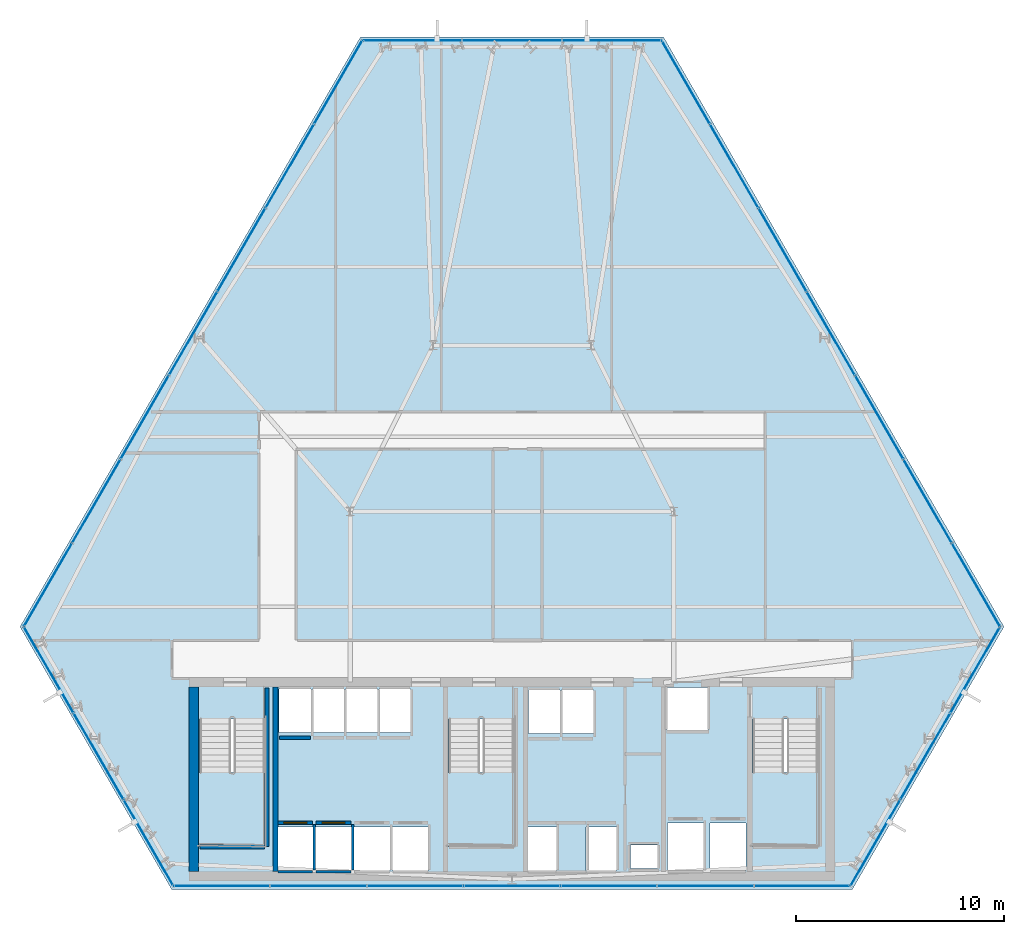
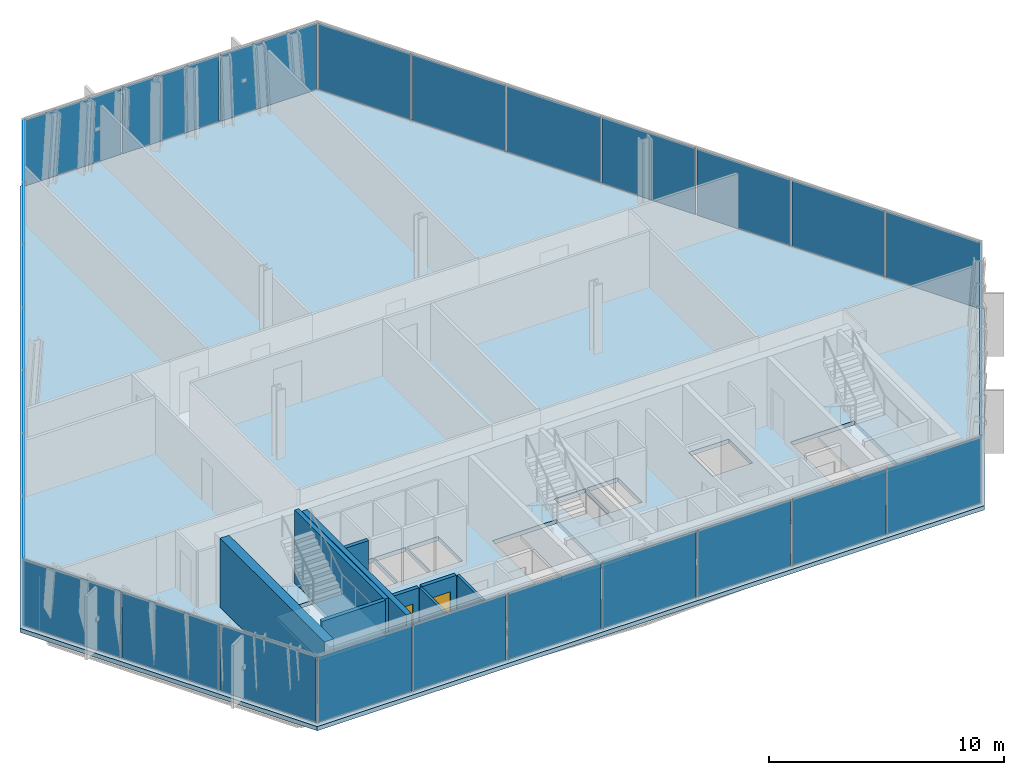
# One storey, part 26 of 33: 30 plates, 11 walls, 4 slabs, 2 doors, 2 openings, 9 elements without a shape of their own.
"""IFC4 building model written with IfcOpenShell, lengths in metres."""

from ifc_helpers import new_model, si_unit, direction, frame, frame_2d, origin, origin_2d, place, context, subcontext, project, spatial, polyline, rectangle, outline, extrude, material, layer, layer_set, type_object, element, fill, aggregate, save


model = new_model("IFC4")

# Units and contexts
model_context = context("Model", 3, precision=1e-05, world=origin(), true_north=direction((0.0, 1.0)))
body_context = subcontext(model_context, "Body", "Model", "MODEL_VIEW")
ifc_project = project(units=[si_unit("LENGTHUNIT", "METRE"), si_unit("AREAUNIT", "SQUARE_METRE"), si_unit("VOLUMEUNIT", "CUBIC_METRE"), si_unit("PLANEANGLEUNIT", "RADIAN"), si_unit("MASSUNIT", "GRAM", prefix="KILO")], contexts=[model_context])

# Site, building, storey
site_placement = place(None, origin())
site = spatial("IfcSite", under=ifc_project, at=site_placement, CompositionType="ELEMENT")
building_placement = place(site_placement, origin())
building = spatial("IfcBuilding", under=site, at=building_placement, Name="Ndaravel Arena Tower", CompositionType="ELEMENT")
storey_placement = place(building_placement, frame((0.0, 0.0, 89.199951171875)))
storey = spatial("IfcBuildingStorey", under=building, at=storey_placement, Name="L20", CompositionType="ELEMENT", Elevation=89.199951171875)

# Curtain wall, plate
ifc_material_1 = material(Name="Aluminium", Category="aluminium")
ifc_layer_1 = layer(ifc_material_1, 0.179931640625)
ifc_layer_set_1 = layer_set([ifc_layer_1], Name="Aluminium")
curtain_wall_type_1 = type_object("IfcCurtainWallType", Name="CW-SYS-01", PredefinedType="NOTDEFINED", material=ifc_layer_set_1)
curtain_wall_1_placement = place(storey_placement, origin())
curtain_wall_1 = element("IfcCurtainWall", 1, at=curtain_wall_1_placement, inside=storey, type_object=curtain_wall_type_1, Name="L20 Faceted Crystal Curtain Wall CW-L20-E02", PredefinedType="NOTDEFINED")
ifc_material_2 = material(Name="Glazing", Category="glass")
ifc_layer_2 = layer(ifc_material_2, 0.035888671875)
ifc_layer_set_2 = layer_set([ifc_layer_2], Name="Glazing")
plate_type_1 = type_object("IfcPlateType", Name="PLT-CW-OPVENT", PredefinedType="CURTAIN_PANEL", material=ifc_layer_set_2)
plate_1_placement = place(storey_placement, frame((61.913818359375, 11.404052734375, 0.06005859375), z_axis=(0.0, 0.0, 1.0), x_axis=(0.5, 0.866025403784, 0.0)))
plate_1 = element("IfcPlate", 2, at=plate_1_placement, type_object=plate_type_1, Name="CW-L20-E02 Operable Vent Sash Panel 02", PredefinedType="CURTAIN_PANEL", context=body_context, shape_type="SweptSolid", body=[
    extrude(rectangle(XDim=4.7265625, YDim=0.035888671875, at=origin_2d()), origin(), (0.0, 0.0, 1.0), 3.4599609375),
])

curtain_wall_2_placement = place(storey_placement, origin())
curtain_wall_2 = element("IfcCurtainWall", 3, at=curtain_wall_2_placement, inside=storey, type_object=curtain_wall_type_1, Name="L20 Faceted Crystal Curtain Wall CW-L20-E04", PredefinedType="NOTDEFINED")
plate_2_placement = place(storey_placement, frame((42.0, 45.89599609375, 0.06005859375), z_axis=(0.0, 0.0, 1.0), x_axis=(-1.0, 0.0, 0.0)))
plate_2 = element("IfcPlate", 4, at=plate_2_placement, type_object=plate_type_1, Name="CW-L20-E04 Operable Vent Sash Panel 02", PredefinedType="CURTAIN_PANEL", context=body_context, shape_type="SweptSolid", body=[
    extrude(rectangle(XDim=4.7265625, YDim=0.035888671875, at=origin_2d()), origin(), (0.0, 0.0, 1.0), 3.4599609375),
])

ifc_material_3 = material(Name="Aluminium", Category="aluminium")
ifc_layer_3 = layer(ifc_material_3, 0.179931640625)
ifc_layer_set_3 = layer_set([ifc_layer_3], Name="Aluminium")
curtain_wall_type_2 = type_object("IfcCurtainWallType", Name="CW-SYS-02", PredefinedType="NOTDEFINED", material=ifc_layer_set_3)
curtain_wall_3_placement = place(storey_placement, origin())
curtain_wall_3 = element("IfcCurtainWall", 5, at=curtain_wall_3_placement, inside=storey, type_object=curtain_wall_type_2, Name="L20 Faceted Crystal Curtain Wall CW-L20-E06", PredefinedType="NOTDEFINED")
plate_3_placement = place(storey_placement, frame((22.086181640625, 11.40380859375, 0.06005859375), z_axis=(0.0, 0.0, 1.0), x_axis=(0.5, -0.866025403784, 0.0)))
plate_3 = element("IfcPlate", 6, at=plate_3_placement, type_object=plate_type_1, Name="CW-L20-E06 Operable Vent Sash Panel 02", PredefinedType="CURTAIN_PANEL", context=body_context, shape_type="SweptSolid", body=[
    extrude(rectangle(XDim=4.7265625, YDim=0.035888671875, at=origin_2d()), origin(), (0.0, 0.0, 1.0), 3.4599609375),
])

# Plate
ifc_material_4 = material(Name="Glazing", Category="glass")
ifc_layer_4 = layer(ifc_material_4, 0.031982421875)
ifc_layer_set_4 = layer_set([ifc_layer_4], Name="Glazing")
plate_type_2 = type_object("IfcPlateType", Name="PLT-GLZ-FRIT35", PredefinedType="CURTAIN_PANEL", material=ifc_layer_set_4)
plate_4_placement = place(storey_placement, frame((59.510498046875, 7.2412109375, 0.06005859375), z_axis=(0.0, 0.0, 1.0), x_axis=(0.5, 0.866025403784, 0.0)))
plate_4 = element("IfcPlate", 7, at=plate_4_placement, type_object=plate_type_2, Name="CW-L20-E02 Vision Glass Panel 01", PredefinedType="CURTAIN_PANEL", context=body_context, shape_type="SweptSolid", body=[
    extrude(rectangle(XDim=4.7265625, YDim=0.035888671875, at=origin_2d()), origin(), (0.0, 0.0, 1.0), 3.4599609375),
])

plate_5_placement = place(storey_placement, frame((64.317138671875, 15.566650390625, 0.06005859375), z_axis=(0.0, 0.0, 1.0), x_axis=(0.5, 0.866025403784, 0.0)))
plate_5 = element("IfcPlate", 8, at=plate_5_placement, type_object=plate_type_2, Name="CW-L20-E02 Vision Glass Panel 03", PredefinedType="CURTAIN_PANEL", context=body_context, shape_type="SweptSolid", body=[
    extrude(rectangle(XDim=4.7265625, YDim=0.035888671875, at=origin_2d()), origin(), (0.0, 0.0, 1.0), 3.4599609375),
])

aggregate(curtain_wall_1, [plate_4, plate_1, plate_5])

plate_6_placement = place(storey_placement, frame((46.806640625, 45.89599609375, 0.06005859375), z_axis=(0.0, 0.0, 1.0), x_axis=(-1.0, 0.0, 0.0)))
plate_6 = element("IfcPlate", 9, at=plate_6_placement, type_object=plate_type_2, Name="CW-L20-E04 Vision Glass Panel 01", PredefinedType="CURTAIN_PANEL", context=body_context, shape_type="SweptSolid", body=[
    extrude(rectangle(XDim=4.7265625, YDim=0.035888671875, at=origin_2d()), origin(), (0.0, 0.0, 1.0), 3.4599609375),
])

plate_7_placement = place(storey_placement, frame((37.193359375, 45.89599609375, 0.06005859375), z_axis=(0.0, 0.0, 1.0), x_axis=(-1.0, 0.0, 0.0)))
plate_7 = element("IfcPlate", 10, at=plate_7_placement, type_object=plate_type_2, Name="CW-L20-E04 Vision Glass Panel 03", PredefinedType="CURTAIN_PANEL", context=body_context, shape_type="SweptSolid", body=[
    extrude(rectangle(XDim=4.7265625, YDim=0.035888671875, at=origin_2d()), origin(), (0.0, 0.0, 1.0), 3.4599609375),
])

aggregate(curtain_wall_2, [plate_6, plate_2, plate_7])

ifc_material_5 = material(Name="Glazing", Category="glass")
ifc_layer_5 = layer(ifc_material_5, 0.035888671875)
ifc_layer_set_5 = layer_set([ifc_layer_5], Name="Glazing")
plate_type_3 = type_object("IfcPlateType", Name="PLT-GLZ-FRIT55", PredefinedType="CURTAIN_PANEL", material=ifc_layer_set_5)
plate_8_placement = place(storey_placement, frame((19.682861328125, 15.566650390625, 0.06005859375), z_axis=(0.0, 0.0, 1.0), x_axis=(0.5, -0.866025403784, 0.0)))
plate_8 = element("IfcPlate", 11, at=plate_8_placement, type_object=plate_type_3, Name="CW-L20-E06 Vision Glass Panel 01", PredefinedType="CURTAIN_PANEL", context=body_context, shape_type="SweptSolid", body=[
    extrude(rectangle(XDim=4.7265625, YDim=0.035888671875, at=origin_2d()), origin(), (0.0, 0.0, 1.0), 3.4599609375),
])

plate_9_placement = place(storey_placement, frame((24.489501953125, 7.2412109375, 0.06005859375), z_axis=(0.0, 0.0, 1.0), x_axis=(0.5, -0.866025403784, 0.0)))
plate_9 = element("IfcPlate", 12, at=plate_9_placement, type_object=plate_type_3, Name="CW-L20-E06 Vision Glass Panel 03", PredefinedType="CURTAIN_PANEL", context=body_context, shape_type="SweptSolid", body=[
    extrude(rectangle(XDim=4.7265625, YDim=0.035888671875, at=origin_2d()), origin(), (0.0, 0.0, 1.0), 3.4599609375),
])

aggregate(curtain_wall_3, [plate_8, plate_3, plate_9])

# Curtain wall, plates
ifc_material_6 = material(Name="Aluminium", Category="aluminium")
ifc_layer_6 = layer(ifc_material_6, 0.179931640625)
ifc_layer_set_6 = layer_set([ifc_layer_6], Name="Aluminium")
curtain_wall_type_3 = type_object("IfcCurtainWallType", Name="CW-SYS-03", PredefinedType="NOTDEFINED", material=ifc_layer_set_6)
curtain_wall_4_placement = place(storey_placement, origin())
curtain_wall_4 = element("IfcCurtainWall", 13, at=curtain_wall_4_placement, inside=storey, type_object=curtain_wall_type_3, Name="L20 Faceted Crystal Curtain Wall CW-L20-E01", PredefinedType="NOTDEFINED")
ifc_material_7 = material(Name="Glazing", Category="glass")
ifc_layer_7 = layer(ifc_material_7, 0.0400390625)
ifc_layer_set_7 = layer_set([ifc_layer_7], Name="Glazing")
plate_type_4 = type_object("IfcPlateType", Name="PLT-GLZ-LOWIRON", PredefinedType="CURTAIN_PANEL", material=ifc_layer_set_7)
plate_10_placement = place(storey_placement, frame((28.02099609375, 5.159912109375, 0.06005859375), z_axis=(0.0, 0.0, 1.0), x_axis=(1.0, 0.0, 0.0)))
plate_10 = element("IfcPlate", 14, at=plate_10_placement, type_object=plate_type_4, Name="CW-L20-E01 Vision Glass Panel 01", PredefinedType="CURTAIN_PANEL", context=body_context, shape_type="SweptSolid", body=[
    extrude(rectangle(XDim=4.57958984375, YDim=0.035888671875, at=origin_2d()), origin(), (0.0, 0.0, 1.0), 3.4599609375),
])
plate_11_placement = place(storey_placement, frame((32.6806640625, 5.159912109375, 0.06005859375), z_axis=(0.0, 0.0, 1.0), x_axis=(1.0, 0.0, 0.0)))
plate_11 = element("IfcPlate", 15, at=plate_11_placement, type_object=plate_type_4, Name="CW-L20-E01 Vision Glass Panel 02", PredefinedType="CURTAIN_PANEL", context=body_context, shape_type="SweptSolid", body=[
    extrude(rectangle(XDim=4.57958984375, YDim=0.035888671875, at=origin_2d()), origin(), (0.0, 0.0, 1.0), 3.4599609375),
])
plate_12_placement = place(storey_placement, frame((37.34033203125, 5.159912109375, 0.06005859375), z_axis=(0.0, 0.0, 1.0), x_axis=(1.0, 0.0, 0.0)))
plate_12 = element("IfcPlate", 16, at=plate_12_placement, type_object=plate_type_4, Name="CW-L20-E01 Vision Glass Panel 03", PredefinedType="CURTAIN_PANEL", context=body_context, shape_type="SweptSolid", body=[
    extrude(rectangle(XDim=4.57958984375, YDim=0.035888671875, at=origin_2d()), origin(), (0.0, 0.0, 1.0), 3.4599609375),
])
plate_13_placement = place(storey_placement, frame((42.0, 5.159912109375, 0.06005859375), z_axis=(0.0, 0.0, 1.0), x_axis=(1.0, 0.0, 0.0)))
plate_13 = element("IfcPlate", 17, at=plate_13_placement, type_object=plate_type_4, Name="CW-L20-E01 Vision Glass Panel 04", PredefinedType="CURTAIN_PANEL", context=body_context, shape_type="SweptSolid", body=[
    extrude(rectangle(XDim=4.57958984375, YDim=0.035888671875, at=origin_2d()), origin(), (0.0, 0.0, 1.0), 3.4599609375),
])
plate_14_placement = place(storey_placement, frame((46.65966796875, 5.159912109375, 0.06005859375), z_axis=(0.0, 0.0, 1.0), x_axis=(1.0, 0.0, 0.0)))
plate_14 = element("IfcPlate", 18, at=plate_14_placement, type_object=plate_type_4, Name="CW-L20-E01 Vision Glass Panel 05", PredefinedType="CURTAIN_PANEL", context=body_context, shape_type="SweptSolid", body=[
    extrude(rectangle(XDim=4.57958984375, YDim=0.035888671875, at=origin_2d()), origin(), (0.0, 0.0, 1.0), 3.4599609375),
])
plate_15_placement = place(storey_placement, frame((51.3193359375, 5.159912109375, 0.06005859375), z_axis=(0.0, 0.0, 1.0), x_axis=(1.0, 0.0, 0.0)))
plate_15 = element("IfcPlate", 19, at=plate_15_placement, type_object=plate_type_4, Name="CW-L20-E01 Vision Glass Panel 06", PredefinedType="CURTAIN_PANEL", context=body_context, shape_type="SweptSolid", body=[
    extrude(rectangle(XDim=4.57958984375, YDim=0.035888671875, at=origin_2d()), origin(), (0.0, 0.0, 1.0), 3.4599609375),
])
plate_16_placement = place(storey_placement, frame((55.97900390625, 5.159912109375, 0.06005859375), z_axis=(0.0, 0.0, 1.0), x_axis=(1.0, 0.0, 0.0)))
plate_16 = element("IfcPlate", 20, at=plate_16_placement, type_object=plate_type_4, Name="CW-L20-E01 Vision Glass Panel 07", PredefinedType="CURTAIN_PANEL", context=body_context, shape_type="SweptSolid", body=[
    extrude(rectangle(XDim=4.57958984375, YDim=0.035888671875, at=origin_2d()), origin(), (0.0, 0.0, 1.0), 3.4599609375),
])
aggregate(curtain_wall_4, [plate_10, plate_11, plate_12, plate_13, plate_14, plate_15, plate_16])

curtain_wall_5_placement = place(storey_placement, origin())
curtain_wall_5 = element("IfcCurtainWall", 21, at=curtain_wall_5_placement, inside=storey, type_object=curtain_wall_type_3, Name="L20 Faceted Crystal Curtain Wall CW-L20-E03", PredefinedType="NOTDEFINED")
plate_17_placement = place(storey_placement, frame((64.35400390625, 19.66552734375, 0.06005859375), z_axis=(0.0, 0.0, 1.0), x_axis=(-0.5, 0.866025403784, 0.0)))
plate_17 = element("IfcPlate", 22, at=plate_17_placement, type_object=plate_type_4, Name="CW-L20-E03 Vision Glass Panel 01", PredefinedType="CURTAIN_PANEL", context=body_context, shape_type="SweptSolid", body=[
    extrude(rectangle(XDim=4.57958984375, YDim=0.035888671875, at=origin_2d()), origin(), (0.0, 0.0, 1.0), 3.4599609375),
])
plate_18_placement = place(storey_placement, frame((62.02392578125, 23.700927734375, 0.06005859375), z_axis=(0.0, 0.0, 1.0), x_axis=(-0.5, 0.866025403784, 0.0)))
plate_18 = element("IfcPlate", 23, at=plate_18_placement, type_object=plate_type_4, Name="CW-L20-E03 Vision Glass Panel 02", PredefinedType="CURTAIN_PANEL", context=body_context, shape_type="SweptSolid", body=[
    extrude(rectangle(XDim=4.57958984375, YDim=0.035888671875, at=origin_2d()), origin(), (0.0, 0.0, 1.0), 3.4599609375),
])
plate_19_placement = place(storey_placement, frame((59.694091796875, 27.736572265625, 0.06005859375), z_axis=(0.0, 0.0, 1.0), x_axis=(-0.5, 0.866025403784, 0.0)))
plate_19 = element("IfcPlate", 24, at=plate_19_placement, type_object=plate_type_4, Name="CW-L20-E03 Vision Glass Panel 03", PredefinedType="CURTAIN_PANEL", context=body_context, shape_type="SweptSolid", body=[
    extrude(rectangle(XDim=4.57958984375, YDim=0.035888671875, at=origin_2d()), origin(), (0.0, 0.0, 1.0), 3.4599609375),
])
plate_20_placement = place(storey_placement, frame((57.364501953125, 31.77197265625, 0.06005859375), z_axis=(0.0, 0.0, 1.0), x_axis=(-0.5, 0.866025403784, 0.0)))
plate_20 = element("IfcPlate", 25, at=plate_20_placement, type_object=plate_type_4, Name="CW-L20-E03 Vision Glass Panel 04", PredefinedType="CURTAIN_PANEL", context=body_context, shape_type="SweptSolid", body=[
    extrude(rectangle(XDim=4.57958984375, YDim=0.035888671875, at=origin_2d()), origin(), (0.0, 0.0, 1.0), 3.4599609375),
])
plate_21_placement = place(storey_placement, frame((55.034423828125, 35.807373046875, 0.06005859375), z_axis=(0.0, 0.0, 1.0), x_axis=(-0.5, 0.866025403784, 0.0)))
plate_21 = element("IfcPlate", 26, at=plate_21_placement, type_object=plate_type_4, Name="CW-L20-E03 Vision Glass Panel 05", PredefinedType="CURTAIN_PANEL", context=body_context, shape_type="SweptSolid", body=[
    extrude(rectangle(XDim=4.57958984375, YDim=0.035888671875, at=origin_2d()), origin(), (0.0, 0.0, 1.0), 3.4599609375),
])
plate_22_placement = place(storey_placement, frame((52.70458984375, 39.8427734375, 0.06005859375), z_axis=(0.0, 0.0, 1.0), x_axis=(-0.5, 0.866025403784, 0.0)))
plate_22 = element("IfcPlate", 27, at=plate_22_placement, type_object=plate_type_4, Name="CW-L20-E03 Vision Glass Panel 06", PredefinedType="CURTAIN_PANEL", context=body_context, shape_type="SweptSolid", body=[
    extrude(rectangle(XDim=4.57958984375, YDim=0.035888671875, at=origin_2d()), origin(), (0.0, 0.0, 1.0), 3.4599609375),
])
plate_23_placement = place(storey_placement, frame((50.374755859375, 43.878173828125, 0.06005859375), z_axis=(0.0, 0.0, 1.0), x_axis=(-0.5, 0.866025403784, 0.0)))
plate_23 = element("IfcPlate", 28, at=plate_23_placement, type_object=plate_type_4, Name="CW-L20-E03 Vision Glass Panel 07", PredefinedType="CURTAIN_PANEL", context=body_context, shape_type="SweptSolid", body=[
    extrude(rectangle(XDim=4.57958984375, YDim=0.035888671875, at=origin_2d()), origin(), (0.0, 0.0, 1.0), 3.4599609375),
])
aggregate(curtain_wall_5, [plate_17, plate_18, plate_19, plate_20, plate_21, plate_22, plate_23])

curtain_wall_6_placement = place(storey_placement, origin())
curtain_wall_6 = element("IfcCurtainWall", 29, at=curtain_wall_6_placement, inside=storey, type_object=curtain_wall_type_3, Name="L20 Faceted Crystal Curtain Wall CW-L20-E05", PredefinedType="NOTDEFINED")
plate_24_placement = place(storey_placement, frame((33.625244140625, 43.878173828125, 0.06005859375), z_axis=(0.0, 0.0, 1.0), x_axis=(-0.5, -0.866025403784, 0.0)))
plate_24 = element("IfcPlate", 30, at=plate_24_placement, type_object=plate_type_4, Name="CW-L20-E05 Vision Glass Panel 01", PredefinedType="CURTAIN_PANEL", context=body_context, shape_type="SweptSolid", body=[
    extrude(rectangle(XDim=4.57958984375, YDim=0.035888671875, at=origin_2d()), origin(), (0.0, 0.0, 1.0), 3.4599609375),
])
plate_25_placement = place(storey_placement, frame((31.29541015625, 39.8427734375, 0.06005859375), z_axis=(0.0, 0.0, 1.0), x_axis=(-0.5, -0.866025403784, 0.0)))
plate_25 = element("IfcPlate", 31, at=plate_25_placement, type_object=plate_type_4, Name="CW-L20-E05 Vision Glass Panel 02", PredefinedType="CURTAIN_PANEL", context=body_context, shape_type="SweptSolid", body=[
    extrude(rectangle(XDim=4.57958984375, YDim=0.035888671875, at=origin_2d()), origin(), (0.0, 0.0, 1.0), 3.4599609375),
])
plate_26_placement = place(storey_placement, frame((28.965576171875, 35.807373046875, 0.06005859375), z_axis=(0.0, 0.0, 1.0), x_axis=(-0.5, -0.866025403784, 0.0)))
plate_26 = element("IfcPlate", 32, at=plate_26_placement, type_object=plate_type_4, Name="CW-L20-E05 Vision Glass Panel 03", PredefinedType="CURTAIN_PANEL", context=body_context, shape_type="SweptSolid", body=[
    extrude(rectangle(XDim=4.57958984375, YDim=0.035888671875, at=origin_2d()), origin(), (0.0, 0.0, 1.0), 3.4599609375),
])
plate_27_placement = place(storey_placement, frame((26.6357421875, 31.77197265625, 0.06005859375), z_axis=(0.0, 0.0, 1.0), x_axis=(-0.5, -0.866025403784, 0.0)))
plate_27 = element("IfcPlate", 33, at=plate_27_placement, type_object=plate_type_4, Name="CW-L20-E05 Vision Glass Panel 04", PredefinedType="CURTAIN_PANEL", context=body_context, shape_type="SweptSolid", body=[
    extrude(rectangle(XDim=4.57958984375, YDim=0.035888671875, at=origin_2d()), origin(), (0.0, 0.0, 1.0), 3.4599609375),
])
plate_28_placement = place(storey_placement, frame((24.305908203125, 27.736572265625, 0.06005859375), z_axis=(0.0, 0.0, 1.0), x_axis=(-0.5, -0.866025403784, 0.0)))
plate_28 = element("IfcPlate", 34, at=plate_28_placement, type_object=plate_type_4, Name="CW-L20-E05 Vision Glass Panel 05", PredefinedType="CURTAIN_PANEL", context=body_context, shape_type="SweptSolid", body=[
    extrude(rectangle(XDim=4.57958984375, YDim=0.035888671875, at=origin_2d()), origin(), (0.0, 0.0, 1.0), 3.4599609375),
])
plate_29_placement = place(storey_placement, frame((21.97607421875, 23.700927734375, 0.06005859375), z_axis=(0.0, 0.0, 1.0), x_axis=(-0.5, -0.866025403784, 0.0)))
plate_29 = element("IfcPlate", 35, at=plate_29_placement, type_object=plate_type_4, Name="CW-L20-E05 Vision Glass Panel 06", PredefinedType="CURTAIN_PANEL", context=body_context, shape_type="SweptSolid", body=[
    extrude(rectangle(XDim=4.57958984375, YDim=0.035888671875, at=origin_2d()), origin(), (0.0, 0.0, 1.0), 3.4599609375),
])
plate_30_placement = place(storey_placement, frame((19.64599609375, 19.66552734375, 0.06005859375), z_axis=(0.0, 0.0, 1.0), x_axis=(-0.5, -0.866025403784, 0.0)))
plate_30 = element("IfcPlate", 36, at=plate_30_placement, type_object=plate_type_4, Name="CW-L20-E05 Vision Glass Panel 07", PredefinedType="CURTAIN_PANEL", context=body_context, shape_type="SweptSolid", body=[
    extrude(rectangle(XDim=4.57958984375, YDim=0.035888671875, at=origin_2d()), origin(), (0.0, 0.0, 1.0), 3.4599609375),
])
aggregate(curtain_wall_6, [plate_24, plate_25, plate_26, plate_27, plate_28, plate_29, plate_30])

# Stair, slab
ifc_material_8 = material(Name="Concrete C40/50", Category="concrete")
stair_type = type_object("IfcStairType", Name="STAIR-CORE-HT", PredefinedType="HALF_TURN_STAIR", material=ifc_material_8)
stair_1_placement = place(storey_placement, origin())
stair_1 = element("IfcStair", 37, at=stair_1_placement, inside=storey, type_object=stair_type, Name="L20 ST-1", PredefinedType="HALF_TURN_STAIR")
ifc_material_9 = material(Name="Concrete C40/50", Category="concrete")
ifc_layer_8 = layer(ifc_material_9, 0.199951171875)
ifc_layer_set_8 = layer_set([ifc_layer_8], Name="Concrete C40/50")
slab_type_1 = type_object("IfcSlabType", Name="SLAB-STAIR-LANDING", PredefinedType="LANDING", material=ifc_layer_set_8)
slab_1_placement = place(storey_placement, frame((0.0, 0.0, 1.699951171875)))
slab_1 = element("IfcSlab", 38, at=slab_1_placement, type_object=slab_type_1, Name="ST-1 landing 1", PredefinedType="LANDING", context=body_context, shape_type="SweptSolid", body=[
    extrude(outline(polyline([(26.81005859375, 10.6298828125), (26.81005859375, 7.070068359375), (30.169921875, 7.070068359375), (30.169921875, 10.6298828125), (26.81005859375, 10.6298828125)])), origin(), (0.0, 0.0, 1.0), 0.2001953125),
])
aggregate(stair_1, [slab_1])

stair_2_placement = place(storey_placement, origin())
stair_2 = element("IfcStair", 39, at=stair_2_placement, inside=storey, type_object=stair_type, Name="L20 ST-2", PredefinedType="HALF_TURN_STAIR")
slab_2_placement = place(storey_placement, frame((0.0, 0.0, 1.699951171875)))
slab_2 = element("IfcSlab", 40, at=slab_2_placement, type_object=slab_type_1, Name="ST-2 landing 1", PredefinedType="LANDING", context=body_context, shape_type="SweptSolid", body=[
    extrude(outline(polyline([(38.81005859375, 10.6298828125), (38.81005859375, 7.070068359375), (42.169921875, 7.070068359375), (42.169921875, 10.6298828125), (38.81005859375, 10.6298828125)])), origin(), (0.0, 0.0, 1.0), 0.2001953125),
])
aggregate(stair_2, [slab_2])

stair_3_placement = place(storey_placement, origin())
stair_3 = element("IfcStair", 41, at=stair_3_placement, inside=storey, type_object=stair_type, Name="L20 ST-3", PredefinedType="HALF_TURN_STAIR")
slab_3_placement = place(storey_placement, frame((0.0, 0.0, 1.699951171875)))
slab_3 = element("IfcSlab", 42, at=slab_3_placement, type_object=slab_type_1, Name="ST-3 landing 1", PredefinedType="LANDING", context=body_context, shape_type="SweptSolid", body=[
    extrude(outline(polyline([(53.4599609375, 10.6298828125), (53.4599609375, 7.070068359375), (56.820068359375, 7.070068359375), (56.820068359375, 10.6298828125), (53.4599609375, 10.6298828125)])), origin(), (0.0, 0.0, 1.0), 0.2001953125),
])
aggregate(stair_3, [slab_3])

# Slab
ifc_material_10 = material(Name="Concrete C40/50", Category="concrete")
ifc_layer_9 = layer(ifc_material_10, 0.219970703125)
ifc_layer_set_9 = layer_set([ifc_layer_9], Name="Concrete C40/50")
slab_type_2 = type_object("IfcSlabType", Name="SLAB-TWR-220", PredefinedType="FLOOR", material=ifc_layer_set_9)
slab_4_placement = place(storey_placement, frame((0.0, 0.0, -0.219970703125)))
element("IfcSlab", 43, at=slab_4_placement, inside=storey, type_object=slab_type_2, Name="L20 Structural Floor Slab", PredefinedType="FLOOR", context=body_context, shape_type="SweptSolid", body=[
    extrude(outline(polyline([(18.29638671875, 17.64794921875), (25.5986328125, 5.0), (58.4013671875, 5.0), (65.70361328125, 17.64794921875), (49.30224609375, 46.055908203125), (34.69775390625, 46.055908203125), (18.29638671875, 17.64794921875)]), holes=[polyline([(26.949951171875, 13.215087890625), (26.949951171875, 7.14990234375), (30.090087890625, 7.14990234375), (30.090087890625, 13.215087890625), (26.949951171875, 13.215087890625)]), polyline([(38.949951171875, 13.215087890625), (38.949951171875, 7.14990234375), (42.090087890625, 7.14990234375), (42.090087890625, 13.215087890625), (38.949951171875, 13.215087890625)]), polyline([(53.60009765625, 13.215087890625), (53.60009765625, 7.14990234375), (56.739990234375, 7.14990234375), (56.739990234375, 13.215087890625), (53.60009765625, 13.215087890625)]), polyline([(30.68505859375, 5.909912109375), (32.4150390625, 5.909912109375), (32.4150390625, 7.989990234375), (30.68505859375, 7.989990234375), (30.68505859375, 5.909912109375)]), polyline([(32.534912109375, 5.909912109375), (34.264892578125, 5.909912109375), (34.264892578125, 7.989990234375), (32.534912109375, 7.989990234375), (32.534912109375, 5.909912109375)]), polyline([(34.385009765625, 5.909912109375), (36.114990234375, 5.909912109375), (36.114990234375, 7.989990234375), (34.385009765625, 7.989990234375), (34.385009765625, 5.909912109375)]), polyline([(36.235107421875, 5.909912109375), (37.965087890625, 5.909912109375), (37.965087890625, 7.989990234375), (36.235107421875, 7.989990234375), (36.235107421875, 5.909912109375)]), polyline([(30.784912109375, 12.56005859375), (32.31494140625, 12.56005859375), (32.31494140625, 14.639892578125), (30.784912109375, 14.639892578125), (30.784912109375, 12.56005859375)]), polyline([(32.385009765625, 12.56005859375), (33.9150390625, 12.56005859375), (33.9150390625, 14.639892578125), (32.385009765625, 14.639892578125), (32.385009765625, 12.56005859375)]), polyline([(33.985107421875, 12.56005859375), (35.514892578125, 12.56005859375), (35.514892578125, 14.639892578125), (33.985107421875, 14.639892578125), (33.985107421875, 12.56005859375)]), polyline([(35.5849609375, 12.56005859375), (37.114990234375, 12.56005859375), (37.114990234375, 14.639892578125), (35.5849609375, 14.639892578125), (35.5849609375, 12.56005859375)]), polyline([(42.659912109375, 5.909912109375), (44.139892578125, 5.909912109375), (44.139892578125, 7.989990234375), (42.659912109375, 7.989990234375), (42.659912109375, 5.909912109375)]), polyline([(45.56005859375, 5.909912109375), (47.0400390625, 5.909912109375), (47.0400390625, 7.989990234375), (45.56005859375, 7.989990234375), (45.56005859375, 5.909912109375)]), polyline([(42.784912109375, 12.510009765625), (44.31494140625, 12.510009765625), (44.31494140625, 14.590087890625), (42.784912109375, 14.590087890625), (42.784912109375, 12.510009765625)]), polyline([(44.385009765625, 12.510009765625), (45.9150390625, 12.510009765625), (45.9150390625, 14.590087890625), (44.385009765625, 14.590087890625), (44.385009765625, 12.510009765625)]), polyline([(49.485107421875, 5.909912109375), (51.215087890625, 5.909912109375), (51.215087890625, 8.18994140625), (49.485107421875, 8.18994140625), (49.485107421875, 5.909912109375)]), polyline([(51.534912109375, 5.909912109375), (53.264892578125, 5.909912109375), (53.264892578125, 8.18994140625), (51.534912109375, 8.18994140625), (51.534912109375, 5.909912109375)]), polyline([(49.4599609375, 12.68505859375), (51.43994140625, 12.68505859375), (51.43994140625, 14.715087890625), (49.4599609375, 14.715087890625), (49.4599609375, 12.68505859375)]), polyline([(47.699951171875, 6.0), (49.0, 6.0), (49.0, 7.139892578125), (47.699951171875, 7.139892578125), (47.699951171875, 6.0)])]), origin(), (0.0, 0.0, 1.0), 0.219970703125),
])

# Walls
ifc_material_11 = material(Name="Concrete C60/75", Category="concrete")
ifc_layer_10 = layer(ifc_material_11, 0.25)
ifc_layer_set_10 = layer_set([ifc_layer_10], Name="Concrete C60/75")
wall_type_1 = type_object("IfcWallType", Name="WALL-CORE-250", PredefinedType="SOLIDWALL", material=ifc_layer_set_10)
wall_1_placement = place(storey_placement, frame((30.60009765625, 5.85009765625, 0.0), z_axis=(0.0, 0.0, 1.0), x_axis=(0.0, 1.0, 0.0)))
element("IfcWall", 44, at=wall_1_placement, inside=storey, type_object=wall_type_1, Name="L20 Core Web Shear Wall 1", PredefinedType="SOLIDWALL", context=body_context, shape_type="SweptSolid", body=[
    extrude(rectangle(XDim=8.89990234375, YDim=0.25, at=frame_2d((4.449951171875, 0.0))), origin(), (0.0, 0.0, 1.0), 3.580078125),
])
ifc_material_12 = material(Name="Concrete C60/75", Category="concrete")
ifc_layer_11 = layer(ifc_material_12, 0.449951171875)
ifc_layer_set_11 = layer_set([ifc_layer_11], Name="Concrete C60/75")
wall_type_2 = type_object("IfcWallType", Name="WALL-CORE-450", PredefinedType="SOLIDWALL", material=ifc_layer_set_11)
wall_2_placement = place(storey_placement, frame((26.675048828125, 5.85009765625, 0.0), z_axis=(0.0, 0.0, 1.0), x_axis=(0.0, 1.0, 0.0)))
element("IfcWall", 45, at=wall_2_placement, inside=storey, type_object=wall_type_2, Name="L20 Core West Shear Wall", PredefinedType="SOLIDWALL", context=body_context, shape_type="SweptSolid", body=[
    extrude(rectangle(XDim=8.89990234375, YDim=0.449951171875, at=frame_2d((4.449951171875, 0.0))), origin(), (0.0, 0.0, 1.0), 3.580078125),
])
ifc_material_13 = material(Name="Concrete C40/50", Category="concrete")
ifc_layer_12 = layer(ifc_material_13, 0.1201171875)
ifc_layer_set_12 = layer_set([ifc_layer_12], Name="Concrete C40/50")
wall_type_3 = type_object("IfcWallType", Name="WALL-SHAFT-120", PredefinedType="SOLIDWALL", material=ifc_layer_set_12)
wall_3_placement = place(storey_placement, frame((30.72998046875, 5.840087890625, 0.0), z_axis=(0.0, 0.0, 1.0), x_axis=(1.0, 0.0, 0.0)))
element("IfcWall", 46, at=wall_3_placement, inside=storey, type_object=wall_type_3, Name="L20 PL-L1 Shaft Rear Wall", PredefinedType="SOLIDWALL", context=body_context, shape_type="SweptSolid", body=[
    extrude(rectangle(XDim=1.6650390625, YDim=0.1201171875, at=frame_2d((0.83251953125, 0.0))), origin(), (0.0, 0.0, 1.0), 2.949951171875),
])
wall_4_placement = place(storey_placement, frame((32.47509765625, 5.929931640625, 0.0), z_axis=(0.0, 0.0, 1.0), x_axis=(0.0, 1.0, 0.0)))
element("IfcWall", 47, at=wall_4_placement, inside=storey, type_object=wall_type_3, Name="L20 PL-L1 Shaft Side R Wall", PredefinedType="SOLIDWALL", context=body_context, shape_type="SweptSolid", body=[
    extrude(rectangle(XDim=2.18017578125, YDim=0.1201171875, at=frame_2d((1.090087890625, 0.0))), origin(), (0.0, 0.0, 1.0), 2.949951171875),
])
wall_5_placement = place(storey_placement, frame((32.554931640625, 5.840087890625, 0.0), z_axis=(0.0, 0.0, 1.0), x_axis=(1.0, 0.0, 0.0)))
element("IfcWall", 48, at=wall_5_placement, inside=storey, type_object=wall_type_3, Name="L20 PL-L2 Shaft Rear Wall", PredefinedType="SOLIDWALL", context=body_context, shape_type="SweptSolid", body=[
    extrude(rectangle(XDim=1.690185546875, YDim=0.1201171875, at=frame_2d((0.84521484375, 0.0))), origin(), (0.0, 0.0, 1.0), 2.949951171875),
])
wall_6_placement = place(storey_placement, frame((34.324951171875, 5.929931640625, 0.0), z_axis=(0.0, 0.0, 1.0), x_axis=(0.0, 1.0, 0.0)))
element("IfcWall", 49, at=wall_6_placement, inside=storey, type_object=wall_type_3, Name="L20 PL-L2 Shaft Side R Wall", PredefinedType="SOLIDWALL", context=body_context, shape_type="SweptSolid", body=[
    extrude(rectangle(XDim=2.18017578125, YDim=0.1201171875, at=frame_2d((1.090087890625, 0.0))), origin(), (0.0, 0.0, 1.0), 2.949951171875),
])
ifc_material_14 = material(Name="Concrete C40/50", Category="concrete")
ifc_layer_13 = layer(ifc_material_14, 0.199951171875)
ifc_layer_set_13 = layer_set([ifc_layer_13], Name="Concrete C40/50")
wall_type_4 = type_object("IfcWallType", Name="WALL-SHAFT-200", PredefinedType="SOLIDWALL", material=ifc_layer_set_13)
wall_7_placement = place(storey_placement, frame((30.18994140625, 14.699951171875, 0.0), z_axis=(0.0, 0.0, 1.0), x_axis=(0.0, -1.0, 0.0)))
element("IfcWall", 50, at=wall_7_placement, inside=storey, type_object=wall_type_4, Name="L20 ST-1 Structural Shaft Wall Right", PredefinedType="SOLIDWALL", context=body_context, shape_type="SweptSolid", body=[
    extrude(rectangle(XDim=7.64990234375, YDim=0.199951171875, at=frame_2d((3.824951171875, 0.0))), origin(), (0.0, 0.0, 1.0), 3.800048828125),
])
wall_8_placement = place(storey_placement, frame((26.969970703125, 7.050048828125, 0.0), z_axis=(0.0, 0.0, 1.0), x_axis=(1.0, 0.0, 0.0)))
element("IfcWall", 51, at=wall_8_placement, inside=storey, type_object=wall_type_4, Name="L20 ST-1 Structural Shaft Wall Far", PredefinedType="SOLIDWALL", context=body_context, shape_type="SweptSolid", body=[
    extrude(rectangle(XDim=3.114990234375, YDim=0.199951171875, at=frame_2d((1.5576171875, 0.0))), origin(), (0.0, 0.0, 1.0), 3.800048828125),
])

# Wall, opening, door
wall_9_placement = place(storey_placement, frame((30.72998046875, 8.199951171875, 0.0), z_axis=(0.0, 0.0, 1.0), x_axis=(1.0, 0.0, 0.0)))
wall_9 = element("IfcWall", 52, at=wall_9_placement, inside=storey, type_object=wall_type_4, Name="L20 PL-L1 Shaft Landing Wall", PredefinedType="SOLIDWALL", context=body_context, shape_type="SweptSolid", body=[
    extrude(rectangle(XDim=1.6650390625, YDim=0.179931640625, at=frame_2d((0.83251953125, 0.0))), origin(), (0.0, 0.0, 1.0), 2.949951171875),
])
opening_1_placement = place(wall_9_placement, frame((0.282470703125, 0.0, 0.0)))
opening_1 = element("IfcOpeningElement", 53, at=opening_1_placement, cuts=wall_9, Name="Opening LD-01", PredefinedType="OPENING", context=body_context, shape_type="SweptSolid", body=[
    extrude(rectangle(XDim=1.10009765625, YDim=2.199951171875, at=frame_2d((0.550048828125, 1.10009765625))), frame((0.0, 0.08984375, 0.0), z_axis=(0.0, -1.0, 0.0), x_axis=(1.0, 0.0, 0.0)), (0.0, 0.0, 1.0), 0.179931640625),
])
ifc_material_15 = material(Name="Steel S355", Category="steel")
door_type = type_object("IfcDoorType", Name="DT-06-LIFT-1100", OperationType="SLIDING_TO_LEFT", PredefinedType="DOOR", material=ifc_material_15)
door_1_placement = place(opening_1_placement, origin())
door_1 = element("IfcDoor", 54, at=door_1_placement, inside=storey, type_object=door_type, Name="L20 Lift PL-L1 Sliding Landing Door", OperationType="SLIDING_TO_LEFT", OverallHeight=2.199951171875, OverallWidth=1.10009765625, PredefinedType="DOOR", context=body_context, shape_type="SweptSolid", body=[
    extrude(rectangle(XDim=1.10009765625, YDim=2.199951171875, at=frame_2d((0.550048828125, 1.10009765625))), frame((0.0, 0.02490234375, 0.0), z_axis=(0.0, -1.0, 0.0), x_axis=(1.0, 0.0, 0.0)), (0.0, 0.0, 1.0), 0.050048828125),
])
fill(opening_1, door_1)

wall_10_placement = place(storey_placement, frame((32.554931640625, 8.199951171875, 0.0), z_axis=(0.0, 0.0, 1.0), x_axis=(1.0, 0.0, 0.0)))
wall_10 = element("IfcWall", 55, at=wall_10_placement, inside=storey, type_object=wall_type_4, Name="L20 PL-L2 Shaft Landing Wall", PredefinedType="SOLIDWALL", context=body_context, shape_type="SweptSolid", body=[
    extrude(rectangle(XDim=1.690185546875, YDim=0.179931640625, at=frame_2d((0.84521484375, 0.0))), origin(), (0.0, 0.0, 1.0), 2.949951171875),
])
opening_2_placement = place(wall_10_placement, frame((0.294921875, 0.0, 0.0)))
opening_2 = element("IfcOpeningElement", 56, at=opening_2_placement, cuts=wall_10, Name="Opening LD-01", PredefinedType="OPENING", context=body_context, shape_type="SweptSolid", body=[
    extrude(rectangle(XDim=1.10009765625, YDim=2.199951171875, at=frame_2d((0.550048828125, 1.10009765625))), frame((0.0, 0.08984375, 0.0), z_axis=(0.0, -1.0, 0.0), x_axis=(1.0, 0.0, 0.0)), (0.0, 0.0, 1.0), 0.179931640625),
])
door_2_placement = place(opening_2_placement, origin())
door_2 = element("IfcDoor", 57, at=door_2_placement, inside=storey, type_object=door_type, Name="L20 Lift PL-L2 Sliding Landing Door", OperationType="SLIDING_TO_LEFT", OverallHeight=2.199951171875, OverallWidth=1.10009765625, PredefinedType="DOOR", context=body_context, shape_type="SweptSolid", body=[
    extrude(rectangle(XDim=1.10009765625, YDim=2.199951171875, at=frame_2d((0.550048828125, 1.10009765625))), frame((0.0, 0.02490234375, 0.0), z_axis=(0.0, -1.0, 0.0), x_axis=(1.0, 0.0, 0.0)), (0.0, 0.0, 1.0), 0.050048828125),
])
fill(opening_2, door_2)

# Wall
wall_11_placement = place(storey_placement, frame((30.804931640625, 12.300048828125, 0.0), z_axis=(0.0, 0.0, 1.0), x_axis=(1.0, 0.0, 0.0)))
element("IfcWall", 58, at=wall_11_placement, inside=storey, type_object=wall_type_4, Name="L20 PL-M1 Shaft Landing Wall", PredefinedType="SOLIDWALL", context=body_context, shape_type="SweptSolid", body=[
    extrude(rectangle(XDim=1.489990234375, YDim=0.179931640625, at=frame_2d((0.7451171875, 0.0))), origin(), (0.0, 0.0, 1.0), 2.949951171875),
])

save(model, "model.ifc")
